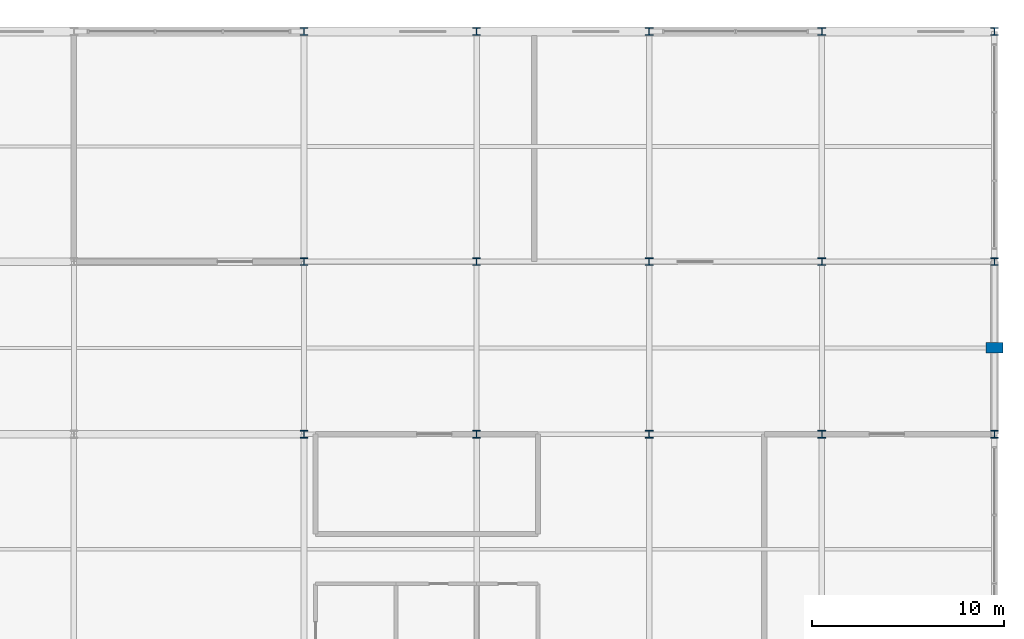
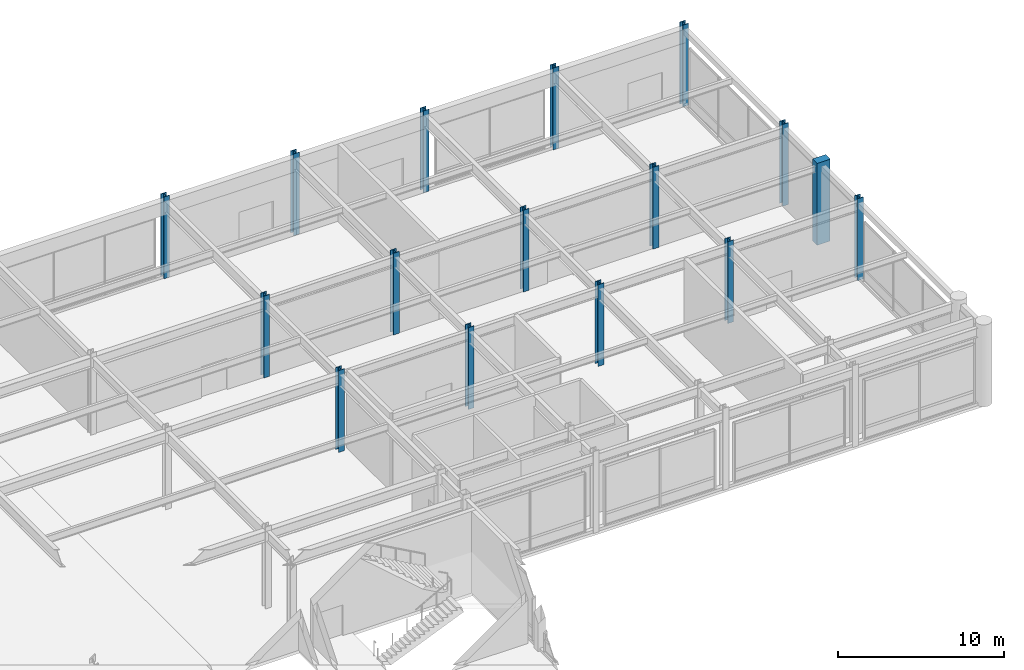
# One storey, part 13 of 105: 16 columns.
"""IFC4 building model written with IfcOpenShell, lengths in metres."""

from ifc_helpers import new_model, si_unit, direction, frame, origin, origin_2d, place, context, subcontext, project, spatial, rectangle, i_section, extrude, material, material_profile, profile_set, type_object, element, save


model = new_model("IFC4")

# Units and contexts
model_context = context("Model", 3, precision=1e-05, world=origin(), true_north=direction((0.0, 1.0)))
body_context = subcontext(model_context, "Body", "Model", "MODEL_VIEW")
ifc_project = project(units=[si_unit("LENGTHUNIT", "METRE"), si_unit("AREAUNIT", "SQUARE_METRE"), si_unit("VOLUMEUNIT", "CUBIC_METRE"), si_unit("PLANEANGLEUNIT", "RADIAN"), si_unit("MASSUNIT", "GRAM", prefix="KILO")], contexts=[model_context])

# Site, building, storey
site_placement = place(None, origin())
site = spatial("IfcSite", under=ifc_project, at=site_placement, CompositionType="ELEMENT")
building_placement = place(site_placement, origin())
building = spatial("IfcBuilding", under=site, at=building_placement, Name="Kaldorvane Square Convention Centre", CompositionType="ELEMENT")
storey_placement = place(building_placement, frame((0.0, 0.0, 6.0)))
storey = spatial("IfcBuildingStorey", under=building, at=storey_placement, Name="L01", CompositionType="ELEMENT", Elevation=6.0)

# Columns
ifc_material_1 = material(Name="Steel ASTM A992 Gr. 50", Category="steel")
ifc_material_profile_1 = material_profile(ifc_material_1, i_section(OverallWidth=0.40130615234375, OverallDepth=0.3993072509765625, WebThickness=0.02490234375, FlangeThickness=0.0395965576171875, FilletRadius=0.0305023193359375, at=origin_2d()), Name="W14X211")
ifc_profile_set_1 = profile_set([ifc_material_profile_1], Name="Steel ASTM A992 Gr. 50")
column_type_1 = type_object("IfcColumnType", Name="COL-STL-211", PredefinedType="COLUMN", material=ifc_profile_set_1)
for number, where, z_axis, x_axis, name in (
    (1, (138.0, 96.0, 0.0), (0.0, 0.0, 1.0), (1.0, 0.0, 0.0), "Column SC-08 (L01)"),
    (2, (138.0, 105.0, 0.0), (0.0, 0.0, 1.0), (1.0, 0.0, 0.0), "Column SC-08 (L01)"),
    (3, (138.0, 117.0, 0.0), (0.0, 0.0, 1.0), (1.0, 0.0, 0.0), "Column SC-08 (L01)"),
    (4, (147.0, 96.0, 0.0), (0.0, 0.0, 1.0), (1.0, 0.0, 0.0), "Column SC-08 (L01)"),
    (5, (147.0, 105.0, 0.0), (0.0, 0.0, 1.0), (1.0, 0.0, 0.0), "Column SC-08 (L01)"),
    (6, (147.0, 117.0, 0.0), (0.0, 0.0, 1.0), (1.0, 0.0, 0.0), "Column SC-08 (L01)"),
    (7, (156.0, 96.0, 0.0), (0.0, 0.0, 1.0), (1.0, 0.0, 0.0), "Column SC-08 (L01)"),
    (8, (156.0, 105.0, 0.0), (0.0, 0.0, 1.0), (1.0, 0.0, 0.0), "Column SC-08 (L01)"),
    (9, (156.0, 117.0, 0.0), (0.0, 0.0, 1.0), (1.0, 0.0, 0.0), "Column SC-08 (L01)"),
    (10, (165.0, 96.0, 0.0), (0.0, 0.0, 1.0), (1.0, 0.0, 0.0), "Column SC-08 (L01)"),
    (11, (165.0, 105.0, 0.0), (0.0, 0.0, 1.0), (1.0, 0.0, 0.0), "Column SC-08 (L01)"),
    (12, (165.0, 117.0, 0.0), (0.0, 0.0, 1.0), (1.0, 0.0, 0.0), "Column SC-08 (L01)"),
    (13, (174.0, 96.0, 0.0), (0.0, 0.0, 1.0), (1.0, 0.0, 0.0), "Column SC-08 (L01)"),
    (14, (174.0, 105.0, 0.0), (0.0, 0.0, 1.0), (1.0, 0.0, 0.0), "Column SC-08 (L01)"),
    (15, (174.0, 117.0, 0.0), (0.0, 0.0, 1.0), (1.0, 0.0, 0.0), "Column SC-08 (L01)"),
):
    element("IfcColumn", number, at=place(storey_placement, frame(where, z_axis=z_axis, x_axis=x_axis)), inside=storey, type_object=column_type_1, Name=name, PredefinedType="COLUMN", context=body_context, shape_type="SweptSolid", body=[
        extrude(i_section(OverallWidth=0.40130615234375, OverallDepth=0.3993072509765625, WebThickness=0.02490234375, FlangeThickness=0.0395965576171875, FilletRadius=0.0305023193359375, at=origin_2d()), origin(), (0.0, 0.0, 1.0), 6.0),
    ])
ifc_material_2 = material(Name="Concrete f'c = 42 MPa (Normalweight)", Category="concrete")
ifc_material_profile_2 = material_profile(ifc_material_2, rectangle(XDim=0.5500030517578125, YDim=0.899993896484375, at=origin_2d()), Name="PIL900X550")
ifc_profile_set_2 = profile_set([ifc_material_profile_2], Name="Concrete f'c = 42 MPa (Normalweight)")
column_type_2 = type_object("IfcColumnType", Name="PIL-BRUT-900", PredefinedType="PILASTER", material=ifc_profile_set_2)
column_placement = place(storey_placement, frame((174.0, 100.5, 0.0), z_axis=(0.0, 0.0, 1.0), x_axis=(0.0, 1.0, 0.0)))
element("IfcColumn", 16, at=column_placement, inside=storey, type_object=column_type_2, Name="Brutalist Colonnade Pilaster (L01)", PredefinedType="PILASTER", context=body_context, shape_type="SweptSolid", body=[
    extrude(rectangle(XDim=0.5500030517578125, YDim=0.899993896484375, at=origin_2d()), origin(), (0.0, 0.0, 1.0), 6.0),
])

save(model, "model.ifc")
